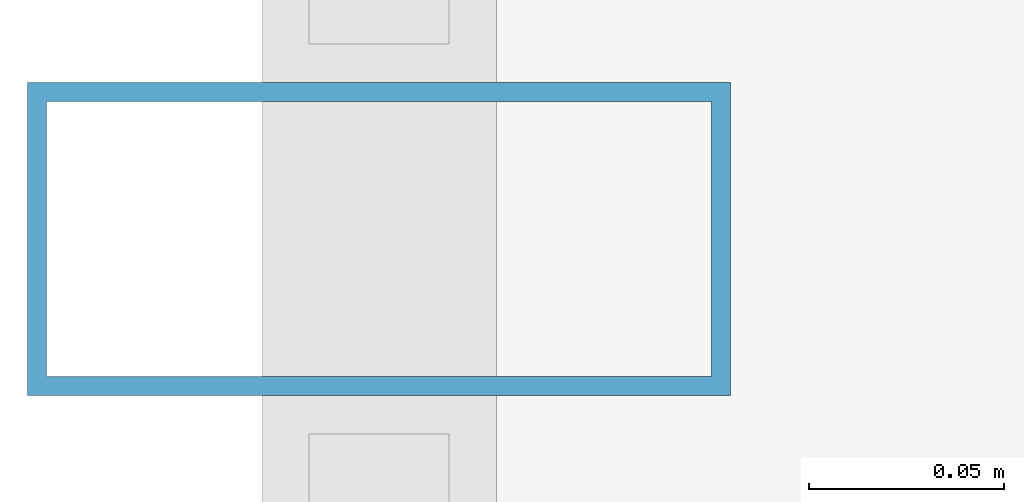
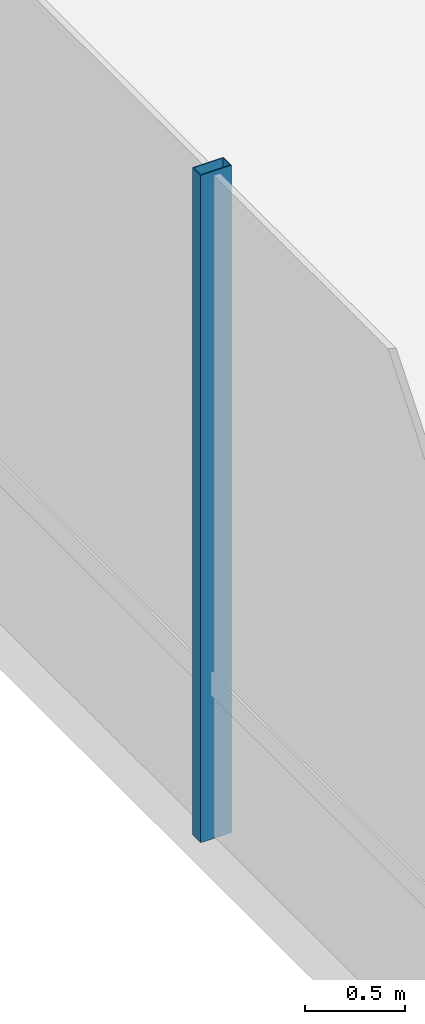
# One storey, part 5 of 33: 1 member, 1 element without a shape of its own.
"""IFC4 building model written with IfcOpenShell, lengths in metres."""

from ifc_helpers import new_model, si_unit, direction, frame, origin, origin_2d, place, context, subcontext, project, spatial, hollow_rectangle, extrude, material, layer, layer_set, material_profile, profile_set, type_object, element, aggregate, save


model = new_model("IFC4")

# Units and contexts
model_context = context("Model", 3, precision=1e-05, world=origin(), true_north=direction((0.0, 1.0)))
body_context = subcontext(model_context, "Body", "Model", "MODEL_VIEW")
ifc_project = project(units=[si_unit("LENGTHUNIT", "METRE"), si_unit("AREAUNIT", "SQUARE_METRE"), si_unit("VOLUMEUNIT", "CUBIC_METRE"), si_unit("PLANEANGLEUNIT", "RADIAN"), si_unit("MASSUNIT", "GRAM", prefix="KILO")], contexts=[model_context])

# Site, building, storey
site_placement = place(None, origin())
site = spatial("IfcSite", under=ifc_project, at=site_placement, CompositionType="ELEMENT")
building_placement = place(site_placement, origin())
building = spatial("IfcBuilding", under=site, at=building_placement, Name="Zarrinselat Tower", CompositionType="ELEMENT")
storey_placement = place(building_placement, frame((0.0, 0.0, 18.360107421875)))
storey = spatial("IfcBuildingStorey", under=building, at=storey_placement, Name="L04", CompositionType="ELEMENT", Elevation=18.360107421875)

# Curtain wall, member
ifc_material_1 = material(Name="Extruded Aluminium Alloy EN AW-6063 T6", Category="aluminium")
ifc_layer = layer(ifc_material_1, 0.2099609375)
ifc_layer_set = layer_set([ifc_layer], Name="Extruded Aluminium Alloy EN AW-6063 T6")
curtain_wall_type = type_object("IfcCurtainWallType", Name="CWS-POD", PredefinedType="NOTDEFINED", material=ifc_layer_set)
curtain_wall_placement = place(storey_placement, origin())
curtain_wall = element("IfcCurtainWall", 1, at=curtain_wall_placement, inside=storey, type_object=curtain_wall_type, Name="L04 Unitised Curtain Wall CW-L04-F7", PredefinedType="NOTDEFINED")
ifc_material_2 = material(Name="Extruded Aluminium Alloy EN AW-6063 T6", Category="aluminium")
ifc_material_profile = material_profile(ifc_material_2, hollow_rectangle(XDim=0.080078125, YDim=0.179931640625, WallThickness=0.0048828125, at=origin_2d()), Name="RHS 180x80x5")
ifc_profile_set = profile_set([ifc_material_profile], Name="Extruded Aluminium Alloy EN AW-6063 T6")
member_type = type_object("IfcMemberType", Name="MEM-CW-MUL", PredefinedType="MULLION", material=ifc_profile_set)
member_placement = place(storey_placement, frame((5.39990234375, 21.919921875, 0.0), z_axis=(0.0, 0.0, 1.0), x_axis=(0.0, -1.0, 0.0)))
member = element("IfcMember", 2, at=member_placement, type_object=member_type, Name="CW-L04-F7 Mullion 7", PredefinedType="MULLION", context=body_context, shape_type="SweptSolid", body=[
    extrude(hollow_rectangle(XDim=0.080078125, YDim=0.179931640625, WallThickness=0.0048828125, at=origin_2d()), origin(), (0.0, 0.0, 1.0), 4.06982421875),
])
aggregate(curtain_wall, [member])

save(model, "model.ifc")
